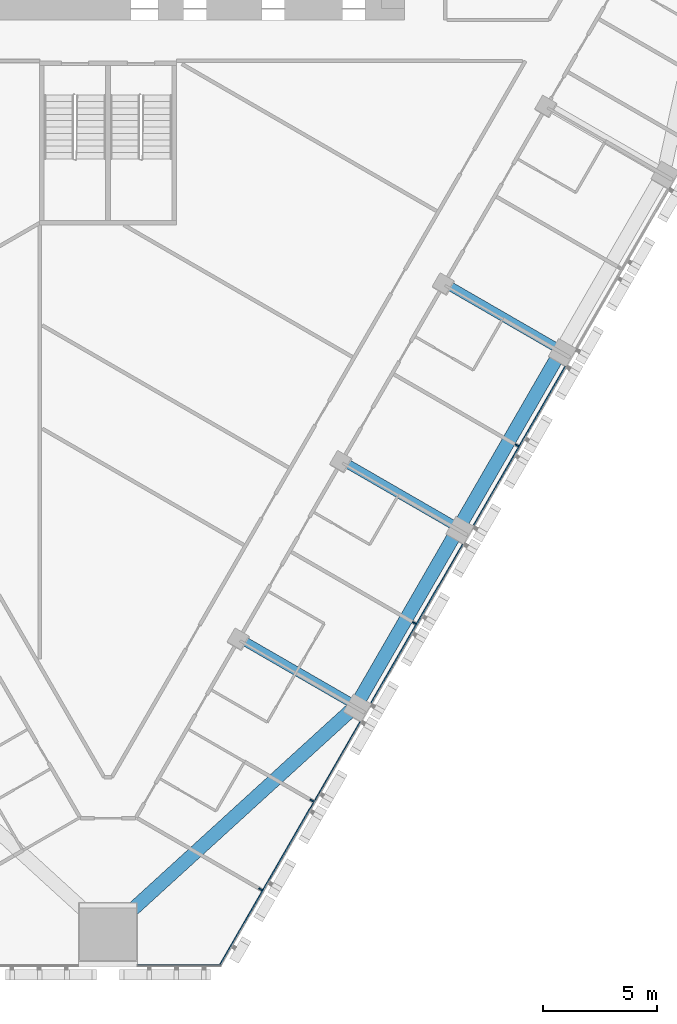
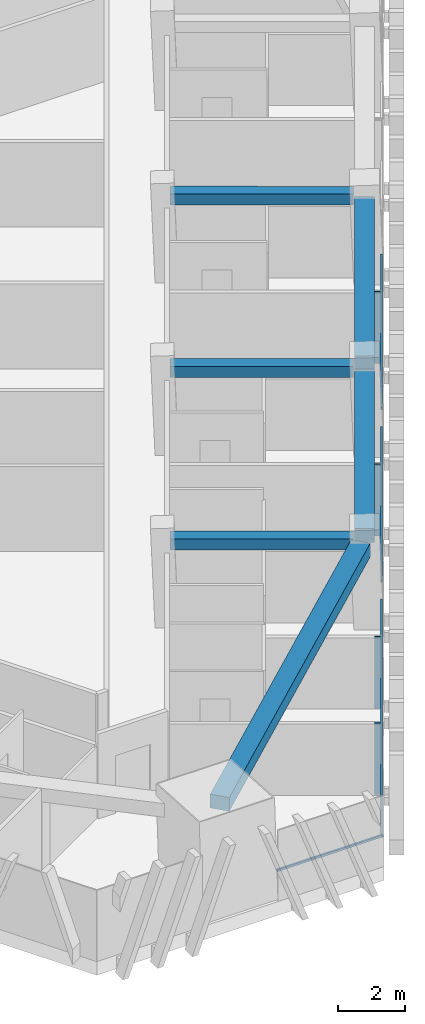
# One storey, part 4 of 17: 8 members, 6 beams, 2 elements without a shape of their own.
"""IFC4 building model written with IfcOpenShell, lengths in metres."""

from ifc_helpers import new_model, si_unit, direction, frame, origin, origin_2d, place, context, subcontext, project, spatial, rectangle, extrude, material, layer, layer_set, material_profile, profile_set, type_object, element, aggregate, save


model = new_model("IFC4")

# Units and contexts
model_context = context("Model", 3, precision=1e-05, world=origin(), true_north=direction((0.0, 1.0)))
body_context = subcontext(model_context, "Body", "Model", "MODEL_VIEW")
ifc_project = project(units=[si_unit("LENGTHUNIT", "METRE"), si_unit("AREAUNIT", "SQUARE_METRE"), si_unit("VOLUMEUNIT", "CUBIC_METRE"), si_unit("PLANEANGLEUNIT", "RADIAN"), si_unit("MASSUNIT", "GRAM", prefix="KILO")], contexts=[model_context])

# Site, building, storey
site_placement = place(None, origin())
site = spatial("IfcSite", under=ifc_project, at=site_placement, CompositionType="ELEMENT")
building_placement = place(site_placement, origin())
building = spatial("IfcBuilding", under=site, at=building_placement, Name="Altiplano Prism Tower", CompositionType="ELEMENT")
storey_placement = place(building_placement, frame((0.0, 0.0, 30.60009765625)))
storey = spatial("IfcBuildingStorey", under=building, at=storey_placement, Name="L06", CompositionType="ELEMENT", Elevation=30.60009765625)

# Curtain wall, members
ifc_material_1 = material(Name="Aluminium and glass", Category="aluminium")
ifc_layer = layer(ifc_material_1, 0.280029296875)
ifc_layer_set = layer_set([ifc_layer], Name="Aluminium and glass")
curtain_wall_type = type_object("IfcCurtainWallType", Name="CW1 typical co-living unitised curtain wall", PredefinedType="NOTDEFINED", material=ifc_layer_set)
curtain_wall_1_placement = place(storey_placement, origin())
curtain_wall_1 = element("IfcCurtainWall", 1, at=curtain_wall_1_placement, inside=storey, type_object=curtain_wall_type, Name="CW1 curtain wall south-east face L06", PredefinedType="NOTDEFINED")
ifc_material_2 = material(Name="Aluminium", Category="aluminium")
ifc_material_profile_1 = material_profile(ifc_material_2, rectangle(XDim=0.179931640625, YDim=0.06494140625, at=origin_2d()), Name="CW1 mullion 65 x 180")
ifc_profile_set_1 = profile_set([ifc_material_profile_1], Name="Aluminium")
member_type_1 = type_object("IfcMemberType", Name="CW1 mullion 65 x 180", PredefinedType="MULLION", material=ifc_profile_set_1)
member_1_placement = place(storey_placement, frame((91.69189453125, 54.248046875, 0.0), z_axis=(0.0, 0.0, 1.0), x_axis=(-0.866025402886, 0.500000001557, 0.0)))
member_1 = element("IfcMember", 2, at=member_1_placement, type_object=member_type_1, Name="CW1 mullion", PredefinedType="MULLION", context=body_context, shape_type="SweptSolid", body=[
    extrude(rectangle(XDim=0.179931640625, YDim=0.06494140625, at=origin_2d()), origin(), (0.0, 0.0, 1.0), 2.599853515625),
])
member_2_placement = place(storey_placement, frame((93.94189453125, 58.14501953125, 0.0), z_axis=(0.0, 0.0, 1.0), x_axis=(-0.866025402886, 0.500000001557, 0.0)))
member_2 = element("IfcMember", 3, at=member_2_placement, type_object=member_type_1, Name="CW1 mullion", PredefinedType="MULLION", context=body_context, shape_type="SweptSolid", body=[
    extrude(rectangle(XDim=0.179931640625, YDim=0.06494140625, at=origin_2d()), origin(), (0.0, 0.0, 1.0), 2.599853515625),
])
member_3_placement = place(storey_placement, frame((98.44189453125, 65.939208984375, 0.0), z_axis=(0.0, 0.0, 1.0), x_axis=(-0.866025402886, 0.500000001557, 0.0)))
member_3 = element("IfcMember", 4, at=member_3_placement, type_object=member_type_1, Name="CW1 mullion", PredefinedType="MULLION", context=body_context, shape_type="SweptSolid", body=[
    extrude(rectangle(XDim=0.179931640625, YDim=0.06494140625, at=origin_2d()), origin(), (0.0, 0.0, 1.0), 2.599853515625),
])
member_4_placement = place(storey_placement, frame((102.94189453125, 73.733642578125, 0.0), z_axis=(0.0, 0.0, 1.0), x_axis=(-0.866025402886, 0.500000001557, 0.0)))
member_4 = element("IfcMember", 5, at=member_4_placement, type_object=member_type_1, Name="CW1 mullion", PredefinedType="MULLION", context=body_context, shape_type="SweptSolid", body=[
    extrude(rectangle(XDim=0.179931640625, YDim=0.06494140625, at=origin_2d()), origin(), (0.0, 0.0, 1.0), 2.599853515625),
])

# Curtain wall, member
curtain_wall_2_placement = place(storey_placement, origin())
curtain_wall_2 = element("IfcCurtainWall", 6, at=curtain_wall_2_placement, inside=storey, type_object=curtain_wall_type, Name="CW1 curtain wall south chamfer L06", PredefinedType="NOTDEFINED")
ifc_material_profile_2 = material_profile(ifc_material_2, rectangle(XDim=0.06005859375, YDim=0.080078125, at=origin_2d()), Name="CW1 transom 80 x 60")
ifc_profile_set_2 = profile_set([ifc_material_profile_2], Name="Aluminium")
member_type_2 = type_object("IfcMemberType", Name="CW1 transom 80 x 60", PredefinedType="USERDEFINED", material=ifc_profile_set_2)
member_5_placement = place(storey_placement, frame((86.300048828125, 50.940673828125, 1.099853515625), z_axis=(1.0, 0.0, 0.0), x_axis=(0.0, 1.0, 0.0)))
member_5 = element("IfcMember", 7, at=member_5_placement, type_object=member_type_2, Name="CW1 transom", ObjectType="TRANSOM", PredefinedType="USERDEFINED", context=body_context, shape_type="SweptSolid", body=[
    extrude(rectangle(XDim=0.06005859375, YDim=0.080078125, at=origin_2d()), origin(), (0.0, 0.0, 1.0), 3.661376953125),
])
aggregate(curtain_wall_2, [member_5])

# Member
member_6_placement = place(storey_placement, frame((89.90087890625, 50.90576171875, 1.099853515625), z_axis=(0.500005619897, 0.866022159111, 0.0), x_axis=(-0.866022159111, 0.500005619897, 0.0)))
member_6 = element("IfcMember", 8, at=member_6_placement, type_object=member_type_2, Name="CW1 transom", ObjectType="TRANSOM", PredefinedType="USERDEFINED", context=body_context, shape_type="SweptSolid", body=[
    extrude(rectangle(XDim=0.06005859375, YDim=0.080078125, at=origin_2d()), origin(), (0.0, 0.0, 1.0), 12.339111328125),
])

member_7_placement = place(storey_placement, frame((96.560546875, 62.440673828125, 1.099853515625), z_axis=(0.499999136801, 0.866025902152, 0.0), x_axis=(-0.866025902152, 0.499999136801, 0.0)))
member_7 = element("IfcMember", 9, at=member_7_placement, type_object=member_type_2, Name="CW1 transom", ObjectType="TRANSOM", PredefinedType="USERDEFINED", context=body_context, shape_type="SweptSolid", body=[
    extrude(rectangle(XDim=0.06005859375, YDim=0.080078125, at=origin_2d()), origin(), (0.0, 0.0, 1.0), 8.02001953125),
])

member_8_placement = place(storey_placement, frame((101.060546875, 70.23486328125, 1.099853515625), z_axis=(0.499999136801, 0.866025902152, 0.0), x_axis=(-0.866025902152, 0.499999136801, 0.0)))
member_8 = element("IfcMember", 10, at=member_8_placement, type_object=member_type_2, Name="CW1 transom", ObjectType="TRANSOM", PredefinedType="USERDEFINED", context=body_context, shape_type="SweptSolid", body=[
    extrude(rectangle(XDim=0.06005859375, YDim=0.080078125, at=origin_2d()), origin(), (0.0, 0.0, 1.0), 8.02001953125),
])

aggregate(curtain_wall_1, [member_1, member_2, member_6, member_3, member_7, member_4, member_8])

# Beams
ifc_material_3 = material(Name="Concrete C60/75", Category="concrete")
ifc_material_profile_3 = material_profile(ifc_material_3, rectangle(XDim=0.60009765625, YDim=0.5, at=origin_2d()), Name="Edge beam 600x500")
ifc_profile_set_3 = profile_set([ifc_material_profile_3], Name="Concrete C60/75")
beam_type_1 = type_object("IfcBeamType", Name="Edge beam 600x500", PredefinedType="SPANDREL", material=ifc_profile_set_3)
beam_1_placement = place(storey_placement, frame((85.33251953125, 52.684326171875, 2.849853515625), z_axis=(0.738838571479, 0.673882456586, 0.0), x_axis=(-0.673882456586, 0.738838571479, 0.0)))
element("IfcBeam", 11, at=beam_1_placement, inside=storey, type_object=beam_type_1, Name="Edge beam M1-P21 L07", PredefinedType="SPANDREL", context=body_context, shape_type="SweptSolid", body=[
    extrude(rectangle(XDim=0.60009765625, YDim=0.5, at=origin_2d()), origin(), (0.0, 0.0, 1.0), 13.932861328125),
])
for number, where, z_axis, x_axis, name in (
    (12, (96.0517578125, 62.596435546875, 2.849853515625), (0.500014701701, 0.866016915587, 0.0), (-0.866016915587, 0.500014701701, 0.0), "Edge beam P21-P22 L07"),
    (13, (100.5517578125, 70.390869140625, 2.849853515625), (0.500014701701, 0.866016915587, 0.0), (-0.866016915587, 0.500014701701, 0.0), "Edge beam P22-P23 L07"),
):
    element("IfcBeam", number, at=place(storey_placement, frame(where, z_axis=z_axis, x_axis=x_axis)), inside=storey, type_object=beam_type_1, Name=name, PredefinedType="SPANDREL", context=body_context, shape_type="SweptSolid", body=[
        extrude(rectangle(XDim=0.60009765625, YDim=0.5, at=origin_2d()), origin(), (0.0, 0.0, 1.0), 8.340087890625),
    ])
ifc_material_profile_4 = material_profile(ifc_material_3, rectangle(XDim=0.39990234375, YDim=0.39990234375, at=origin_2d()), Name="Tie beam 400x400")
ifc_profile_set_4 = profile_set([ifc_material_profile_4], Name="Concrete C60/75")
beam_type_2 = type_object("IfcBeamType", Name="Tie beam 400x400", PredefinedType="BEAM", material=ifc_profile_set_4)
for number, where, z_axis, x_axis, name in (
    (14, (90.8466796875, 65.220703125, 2.89990234375), (0.866031549307, -0.499989355492, 0.0), (0.499989355492, 0.866031549307, 0.0), "Tie beam I21 L07"),
    (15, (95.3466796875, 73.014892578125, 2.89990234375), (0.866031549307, -0.499989355492, 0.0), (0.499989355492, 0.866031549307, 0.0), "Tie beam I22 L07"),
):
    element("IfcBeam", number, at=place(storey_placement, frame(where, z_axis=z_axis, x_axis=x_axis)), inside=storey, type_object=beam_type_2, Name=name, PredefinedType="BEAM", context=body_context, shape_type="SweptSolid", body=[
        extrude(rectangle(XDim=0.39990234375, YDim=0.39990234375, at=origin_2d()), origin(), (0.0, 0.0, 1.0), 5.48974609375),
    ])
beam_2_placement = place(storey_placement, frame((99.8466796875, 80.809326171875, 2.89990234375), z_axis=(0.866012292785, -0.50002270823, 0.0), x_axis=(0.50002270823, 0.866012292785, 0.0)))
element("IfcBeam", 16, at=beam_2_placement, inside=storey, type_object=beam_type_2, Name="Tie beam I23 L07", PredefinedType="BEAM", context=body_context, shape_type="SweptSolid", body=[
    extrude(rectangle(XDim=0.39990234375, YDim=0.39990234375, at=origin_2d()), origin(), (0.0, 0.0, 1.0), 5.489990234375),
])

save(model, "model.ifc")
